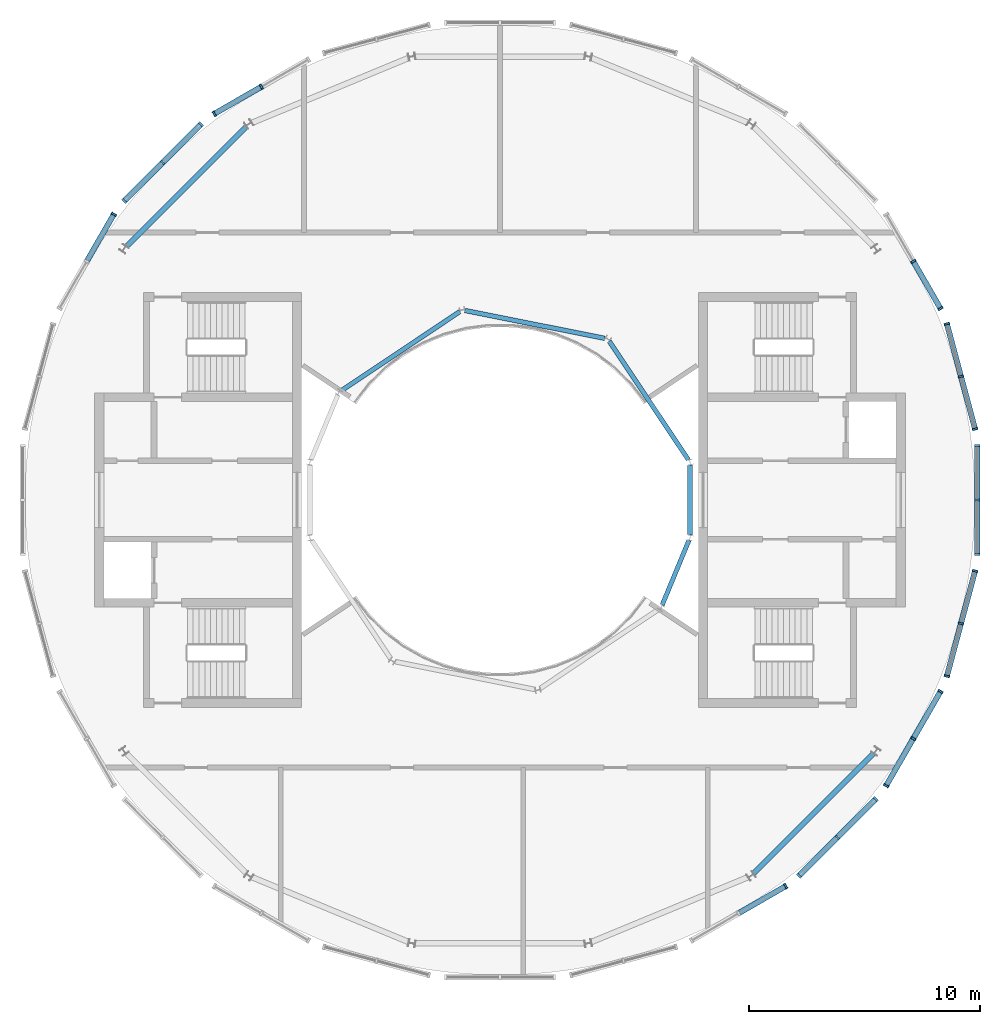
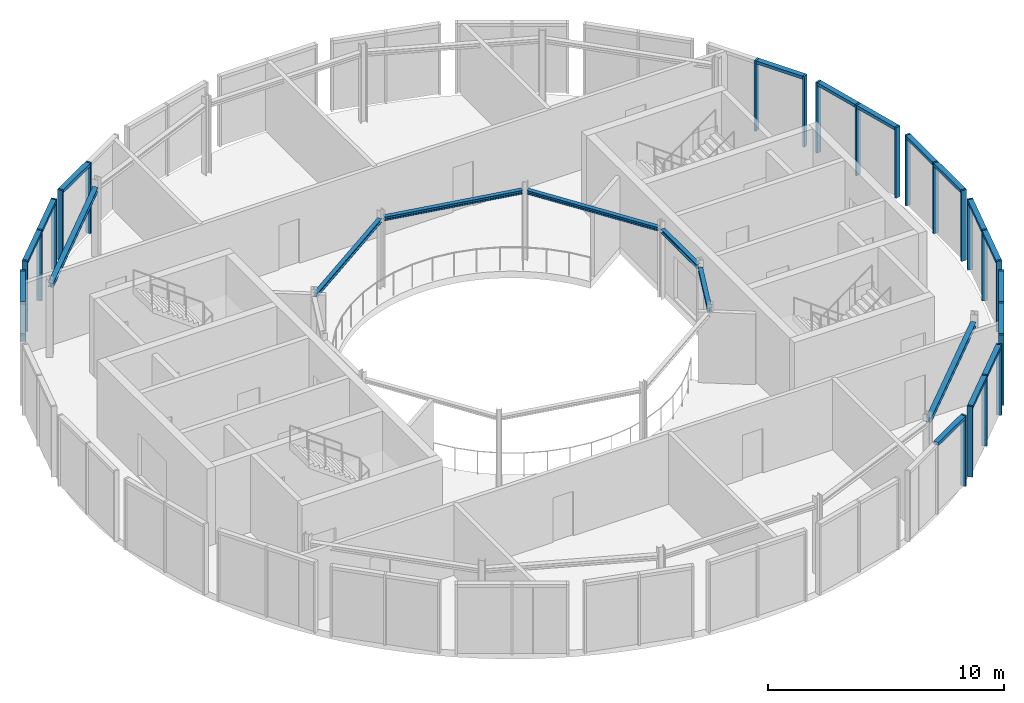
# One storey, part 5 of 12: 40 members, 7 beams, 10 elements without a shape of their own.
"""IFC4 building model written with IfcOpenShell, lengths in metres."""

from ifc_helpers import new_model, si_unit, direction, frame, origin, origin_2d, place, context, subcontext, project, spatial, rectangle, i_section, extrude, material, layer, layer_set, material_profile, profile_set, type_object, element, aggregate, save


model = new_model("IFC4")

# Units and contexts
model_context = context("Model", 3, precision=1e-05, world=origin(), true_north=direction((0.0, 1.0)))
body_context = subcontext(model_context, "Body", "Model", "MODEL_VIEW")
ifc_project = project(units=[si_unit("LENGTHUNIT", "METRE"), si_unit("AREAUNIT", "SQUARE_METRE"), si_unit("VOLUMEUNIT", "CUBIC_METRE"), si_unit("PLANEANGLEUNIT", "RADIAN"), si_unit("MASSUNIT", "GRAM", prefix="KILO")], contexts=[model_context])

# Site, building, storey
site_placement = place(None, origin())
site = spatial("IfcSite", under=ifc_project, at=site_placement, CompositionType="ELEMENT")
building_placement = place(site_placement, origin())
building = spatial("IfcBuilding", under=site, at=building_placement, Name="Maasbend Ring Residences", CompositionType="ELEMENT")
storey_placement = place(building_placement, frame((0.0, 0.0, 261.5)))
storey = spatial("IfcBuildingStorey", under=building, at=storey_placement, Name="L75", CompositionType="ELEMENT", Elevation=261.5)

# Curtain wall, members
ifc_material_1 = material(Name="Aluminium and clear glass", Category="aluminium")
ifc_layer = layer(ifc_material_1, 0.239990234375)
ifc_layer_set = layer_set([ifc_layer], Name="CW-CN")
curtain_wall_type = type_object("IfcCurtainWallType", Name="CW-CN", PredefinedType="NOTDEFINED", material=ifc_layer_set)
curtain_wall_1_placement = place(storey_placement, origin())
curtain_wall_1 = element("IfcCurtainWall", 1, at=curtain_wall_1_placement, inside=storey, type_object=curtain_wall_type, Name="Crown drum glazing 01 L75", PredefinedType="NOTDEFINED")
ifc_material_2 = material(Name="Aluminium 6063-T6", Category="aluminium")
ifc_material_profile_1 = material_profile(ifc_material_2, rectangle(XDim=0.239990234375, YDim=0.090087890625, at=origin_2d()), Name="AL 240x90")
ifc_profile_set_1 = profile_set([ifc_material_profile_1], Name="Aluminium 6063-T6")
member_type_1 = type_object("IfcMemberType", Name="CWM-CN", PredefinedType="MULLION", material=ifc_profile_set_1)
member_1_placement = place(storey_placement, frame((20.596923828125, 3.07666015625, 0.0), z_axis=(0.0, 0.0, 1.0), x_axis=(-0.965925826289, -0.258819045103, 0.0)))
member_1 = element("IfcMember", 2, at=member_1_placement, type_object=member_type_1, Name="Mullion crown cone", PredefinedType="MULLION", context=body_context, shape_type="SweptSolid", body=[
    extrude(rectangle(XDim=0.239990234375, YDim=0.090087890625, at=origin_2d()), origin(), (0.0, 0.0, 1.0), 3.64990234375),
])
member_2_placement = place(storey_placement, frame((19.986328125, 5.355224609375, 0.0), z_axis=(0.0, 0.0, 1.0), x_axis=(-0.965925826289, -0.258819045103, 0.0)))
member_2 = element("IfcMember", 3, at=member_2_placement, type_object=member_type_1, Name="Mullion crown cone", PredefinedType="MULLION", context=body_context, shape_type="SweptSolid", body=[
    extrude(rectangle(XDim=0.239990234375, YDim=0.090087890625, at=origin_2d()), origin(), (0.0, 0.0, 1.0), 3.64990234375),
])
member_3_placement = place(storey_placement, frame((19.375732421875, 7.634033203125, 0.0), z_axis=(0.0, 0.0, 1.0), x_axis=(-0.965925826289, -0.258819045103, 0.0)))
member_3 = element("IfcMember", 4, at=member_3_placement, type_object=member_type_1, Name="Mullion crown cone", PredefinedType="MULLION", context=body_context, shape_type="SweptSolid", body=[
    extrude(rectangle(XDim=0.239990234375, YDim=0.090087890625, at=origin_2d()), origin(), (0.0, 0.0, 1.0), 3.64990234375),
])

curtain_wall_2_placement = place(storey_placement, origin())
curtain_wall_2 = element("IfcCurtainWall", 5, at=curtain_wall_2_placement, inside=storey, type_object=curtain_wall_type, Name="Crown drum glazing 02 L75", PredefinedType="NOTDEFINED")
member_4_placement = place(storey_placement, frame((19.098876953125, 8.302734375, 0.0), z_axis=(0.0, 0.0, 1.0), x_axis=(-0.866025403784, -0.5, 0.0)))
member_4 = element("IfcMember", 6, at=member_4_placement, type_object=member_type_1, Name="Mullion crown cone", PredefinedType="MULLION", context=body_context, shape_type="SweptSolid", body=[
    extrude(rectangle(XDim=0.239990234375, YDim=0.090087890625, at=origin_2d()), origin(), (0.0, 0.0, 1.0), 3.64990234375),
])
member_5_placement = place(storey_placement, frame((17.91943359375, 10.345703125, 0.0), z_axis=(0.0, 0.0, 1.0), x_axis=(-0.866025403784, -0.5, 0.0)))
member_5 = element("IfcMember", 7, at=member_5_placement, type_object=member_type_1, Name="Mullion crown cone", PredefinedType="MULLION", context=body_context, shape_type="SweptSolid", body=[
    extrude(rectangle(XDim=0.239990234375, YDim=0.090087890625, at=origin_2d()), origin(), (0.0, 0.0, 1.0), 3.64990234375),
])

curtain_wall_3_placement = place(storey_placement, origin())
curtain_wall_3 = element("IfcCurtainWall", 8, at=curtain_wall_3_placement, inside=storey, type_object=curtain_wall_type, Name="Crown drum glazing 08 L75", PredefinedType="NOTDEFINED")
member_6_placement = place(storey_placement, frame((-10.345703125, 17.91943359375, 0.0), z_axis=(0.0, 0.0, 1.0), x_axis=(0.5, -0.866025403784, 0.0)))
member_6 = element("IfcMember", 9, at=member_6_placement, type_object=member_type_1, Name="Mullion crown cone", PredefinedType="MULLION", context=body_context, shape_type="SweptSolid", body=[
    extrude(rectangle(XDim=0.239990234375, YDim=0.090087890625, at=origin_2d()), origin(), (0.0, 0.0, 1.0), 3.64990234375),
])
member_7_placement = place(storey_placement, frame((-12.388671875, 16.73974609375, 0.0), z_axis=(0.0, 0.0, 1.0), x_axis=(0.5, -0.866025403784, 0.0)))
member_7 = element("IfcMember", 10, at=member_7_placement, type_object=member_type_1, Name="Mullion crown cone", PredefinedType="MULLION", context=body_context, shape_type="SweptSolid", body=[
    extrude(rectangle(XDim=0.239990234375, YDim=0.090087890625, at=origin_2d()), origin(), (0.0, 0.0, 1.0), 3.64990234375),
])

curtain_wall_4_placement = place(storey_placement, origin())
curtain_wall_4 = element("IfcCurtainWall", 11, at=curtain_wall_4_placement, inside=storey, type_object=curtain_wall_type, Name="Crown drum glazing 09 L75", PredefinedType="NOTDEFINED")
member_8_placement = place(storey_placement, frame((-12.962890625, 16.299072265625, 0.0), z_axis=(0.0, 0.0, 1.0), x_axis=(0.707106781187, -0.707106781187, 0.0)))
member_8 = element("IfcMember", 12, at=member_8_placement, type_object=member_type_1, Name="Mullion crown cone", PredefinedType="MULLION", context=body_context, shape_type="SweptSolid", body=[
    extrude(rectangle(XDim=0.239990234375, YDim=0.090087890625, at=origin_2d()), origin(), (0.0, 0.0, 1.0), 3.64990234375),
])
member_9_placement = place(storey_placement, frame((-14.631103515625, 14.631103515625, 0.0), z_axis=(0.0, 0.0, 1.0), x_axis=(0.707106781187, -0.707106781187, 0.0)))
member_9 = element("IfcMember", 13, at=member_9_placement, type_object=member_type_1, Name="Mullion crown cone", PredefinedType="MULLION", context=body_context, shape_type="SweptSolid", body=[
    extrude(rectangle(XDim=0.239990234375, YDim=0.090087890625, at=origin_2d()), origin(), (0.0, 0.0, 1.0), 3.64990234375),
])
member_10_placement = place(storey_placement, frame((-16.299072265625, 12.962890625, 0.0), z_axis=(0.0, 0.0, 1.0), x_axis=(0.707106781187, -0.707106781187, 0.0)))
member_10 = element("IfcMember", 14, at=member_10_placement, type_object=member_type_1, Name="Mullion crown cone", PredefinedType="MULLION", context=body_context, shape_type="SweptSolid", body=[
    extrude(rectangle(XDim=0.239990234375, YDim=0.090087890625, at=origin_2d()), origin(), (0.0, 0.0, 1.0), 3.64990234375),
])

# Curtain wall, member
curtain_wall_5_placement = place(storey_placement, origin())
curtain_wall_5 = element("IfcCurtainWall", 15, at=curtain_wall_5_placement, inside=storey, type_object=curtain_wall_type, Name="Crown drum glazing 10 L75", PredefinedType="NOTDEFINED")
member_11_placement = place(storey_placement, frame((-16.73974609375, 12.388671875, 0.0), z_axis=(0.0, 0.0, 1.0), x_axis=(0.866025403784, -0.5, 0.0)))
member_11 = element("IfcMember", 16, at=member_11_placement, type_object=member_type_1, Name="Mullion crown cone", PredefinedType="MULLION", context=body_context, shape_type="SweptSolid", body=[
    extrude(rectangle(XDim=0.239990234375, YDim=0.090087890625, at=origin_2d()), origin(), (0.0, 0.0, 1.0), 3.64990234375),
])

curtain_wall_6_placement = place(storey_placement, origin())
curtain_wall_6 = element("IfcCurtainWall", 17, at=curtain_wall_6_placement, inside=storey, type_object=curtain_wall_type, Name="Crown drum glazing 20 L75", PredefinedType="NOTDEFINED")
member_12_placement = place(storey_placement, frame((12.388671875, -16.73974609375, 0.0), z_axis=(0.0, 0.0, 1.0), x_axis=(-0.5, 0.866025403784, 0.0)))
member_12 = element("IfcMember", 18, at=member_12_placement, type_object=member_type_1, Name="Mullion crown cone", PredefinedType="MULLION", context=body_context, shape_type="SweptSolid", body=[
    extrude(rectangle(XDim=0.239990234375, YDim=0.090087890625, at=origin_2d()), origin(), (0.0, 0.0, 1.0), 3.64990234375),
])

# Curtain wall, members
curtain_wall_7_placement = place(storey_placement, origin())
curtain_wall_7 = element("IfcCurtainWall", 19, at=curtain_wall_7_placement, inside=storey, type_object=curtain_wall_type, Name="Crown drum glazing 21 L75", PredefinedType="NOTDEFINED")
member_13_placement = place(storey_placement, frame((12.962890625, -16.299072265625, 0.0), z_axis=(0.0, 0.0, 1.0), x_axis=(-0.707106781187, 0.707106781187, 0.0)))
member_13 = element("IfcMember", 20, at=member_13_placement, type_object=member_type_1, Name="Mullion crown cone", PredefinedType="MULLION", context=body_context, shape_type="SweptSolid", body=[
    extrude(rectangle(XDim=0.239990234375, YDim=0.090087890625, at=origin_2d()), origin(), (0.0, 0.0, 1.0), 3.64990234375),
])
member_14_placement = place(storey_placement, frame((14.631103515625, -14.631103515625, 0.0), z_axis=(0.0, 0.0, 1.0), x_axis=(-0.707106781187, 0.707106781187, 0.0)))
member_14 = element("IfcMember", 21, at=member_14_placement, type_object=member_type_1, Name="Mullion crown cone", PredefinedType="MULLION", context=body_context, shape_type="SweptSolid", body=[
    extrude(rectangle(XDim=0.239990234375, YDim=0.090087890625, at=origin_2d()), origin(), (0.0, 0.0, 1.0), 3.64990234375),
])
member_15_placement = place(storey_placement, frame((16.299072265625, -12.962890625, 0.0), z_axis=(0.0, 0.0, 1.0), x_axis=(-0.707106781187, 0.707106781187, 0.0)))
member_15 = element("IfcMember", 22, at=member_15_placement, type_object=member_type_1, Name="Mullion crown cone", PredefinedType="MULLION", context=body_context, shape_type="SweptSolid", body=[
    extrude(rectangle(XDim=0.239990234375, YDim=0.090087890625, at=origin_2d()), origin(), (0.0, 0.0, 1.0), 3.64990234375),
])

curtain_wall_8_placement = place(storey_placement, origin())
curtain_wall_8 = element("IfcCurtainWall", 23, at=curtain_wall_8_placement, inside=storey, type_object=curtain_wall_type, Name="Crown drum glazing 22 L75", PredefinedType="NOTDEFINED")
member_16_placement = place(storey_placement, frame((16.73974609375, -12.388671875, 0.0), z_axis=(0.0, 0.0, 1.0), x_axis=(-0.866025403784, 0.5, 0.0)))
member_16 = element("IfcMember", 24, at=member_16_placement, type_object=member_type_1, Name="Mullion crown cone", PredefinedType="MULLION", context=body_context, shape_type="SweptSolid", body=[
    extrude(rectangle(XDim=0.239990234375, YDim=0.090087890625, at=origin_2d()), origin(), (0.0, 0.0, 1.0), 3.64990234375),
])
member_17_placement = place(storey_placement, frame((17.91943359375, -10.345703125, 0.0), z_axis=(0.0, 0.0, 1.0), x_axis=(-0.866025403784, 0.5, 0.0)))
member_17 = element("IfcMember", 25, at=member_17_placement, type_object=member_type_1, Name="Mullion crown cone", PredefinedType="MULLION", context=body_context, shape_type="SweptSolid", body=[
    extrude(rectangle(XDim=0.239990234375, YDim=0.090087890625, at=origin_2d()), origin(), (0.0, 0.0, 1.0), 3.64990234375),
])
member_18_placement = place(storey_placement, frame((19.098876953125, -8.302734375, 0.0), z_axis=(0.0, 0.0, 1.0), x_axis=(-0.866025403784, 0.5, 0.0)))
member_18 = element("IfcMember", 26, at=member_18_placement, type_object=member_type_1, Name="Mullion crown cone", PredefinedType="MULLION", context=body_context, shape_type="SweptSolid", body=[
    extrude(rectangle(XDim=0.239990234375, YDim=0.090087890625, at=origin_2d()), origin(), (0.0, 0.0, 1.0), 3.64990234375),
])

curtain_wall_9_placement = place(storey_placement, origin())
curtain_wall_9 = element("IfcCurtainWall", 27, at=curtain_wall_9_placement, inside=storey, type_object=curtain_wall_type, Name="Crown drum glazing 23 L75", PredefinedType="NOTDEFINED")
member_19_placement = place(storey_placement, frame((19.375732421875, -7.634033203125, 0.0), z_axis=(0.0, 0.0, 1.0), x_axis=(-0.965925826289, 0.258819045103, 0.0)))
member_19 = element("IfcMember", 28, at=member_19_placement, type_object=member_type_1, Name="Mullion crown cone", PredefinedType="MULLION", context=body_context, shape_type="SweptSolid", body=[
    extrude(rectangle(XDim=0.239990234375, YDim=0.090087890625, at=origin_2d()), origin(), (0.0, 0.0, 1.0), 3.64990234375),
])
member_20_placement = place(storey_placement, frame((19.986328125, -5.355224609375, 0.0), z_axis=(0.0, 0.0, 1.0), x_axis=(-0.965925826289, 0.258819045103, 0.0)))
member_20 = element("IfcMember", 29, at=member_20_placement, type_object=member_type_1, Name="Mullion crown cone", PredefinedType="MULLION", context=body_context, shape_type="SweptSolid", body=[
    extrude(rectangle(XDim=0.239990234375, YDim=0.090087890625, at=origin_2d()), origin(), (0.0, 0.0, 1.0), 3.64990234375),
])
member_21_placement = place(storey_placement, frame((20.596923828125, -3.07666015625, 0.0), z_axis=(0.0, 0.0, 1.0), x_axis=(-0.965925826289, 0.258819045103, 0.0)))
member_21 = element("IfcMember", 30, at=member_21_placement, type_object=member_type_1, Name="Mullion crown cone", PredefinedType="MULLION", context=body_context, shape_type="SweptSolid", body=[
    extrude(rectangle(XDim=0.239990234375, YDim=0.090087890625, at=origin_2d()), origin(), (0.0, 0.0, 1.0), 3.64990234375),
])

curtain_wall_10_placement = place(storey_placement, origin())
curtain_wall_10 = element("IfcCurtainWall", 31, at=curtain_wall_10_placement, inside=storey, type_object=curtain_wall_type, Name="Crown drum glazing 24 L75", PredefinedType="NOTDEFINED")
member_22_placement = place(storey_placement, frame((20.69140625, -2.359130859375, 0.0), z_axis=(0.0, 0.0, 1.0), x_axis=(-1.0, 0.0, 0.0)))
member_22 = element("IfcMember", 32, at=member_22_placement, type_object=member_type_1, Name="Mullion crown cone", PredefinedType="MULLION", context=body_context, shape_type="SweptSolid", body=[
    extrude(rectangle(XDim=0.239990234375, YDim=0.090087890625, at=origin_2d()), origin(), (0.0, 0.0, 1.0), 3.64990234375),
])
member_23_placement = place(storey_placement, frame((20.69140625, 0.0, 0.0), z_axis=(0.0, 0.0, 1.0), x_axis=(-1.0, 0.0, 0.0)))
member_23 = element("IfcMember", 33, at=member_23_placement, type_object=member_type_1, Name="Mullion crown cone", PredefinedType="MULLION", context=body_context, shape_type="SweptSolid", body=[
    extrude(rectangle(XDim=0.239990234375, YDim=0.090087890625, at=origin_2d()), origin(), (0.0, 0.0, 1.0), 3.64990234375),
])
member_24_placement = place(storey_placement, frame((20.69140625, 2.359130859375, 0.0), z_axis=(0.0, 0.0, 1.0), x_axis=(-1.0, 0.0, 0.0)))
member_24 = element("IfcMember", 34, at=member_24_placement, type_object=member_type_1, Name="Mullion crown cone", PredefinedType="MULLION", context=body_context, shape_type="SweptSolid", body=[
    extrude(rectangle(XDim=0.239990234375, YDim=0.090087890625, at=origin_2d()), origin(), (0.0, 0.0, 1.0), 3.64990234375),
])

# Member
ifc_material_3 = material(Name="Aluminium 6063-T6", Category="aluminium")
ifc_material_profile_2 = material_profile(ifc_material_3, rectangle(XDim=0.239990234375, YDim=0.159912109375, at=origin_2d()), Name="AL 240x160")
ifc_profile_set_2 = profile_set([ifc_material_profile_2], Name="Aluminium 6063-T6")
member_type_2 = type_object("IfcMemberType", Name="CWT-CN", PredefinedType="USERDEFINED", material=ifc_profile_set_2)
member_25_placement = place(storey_placement, frame((20.58544921875, 3.1201171875, 3.570068359375), z_axis=(-0.258881296667, 0.965909143883, 0.0), x_axis=(-0.965909143883, -0.258881296667, 0.0)))
member_25 = element("IfcMember", 35, at=member_25_placement, type_object=member_type_2, Name="Transom crown cone", ObjectType="TRANSOM", PredefinedType="USERDEFINED", context=body_context, shape_type="SweptSolid", body=[
    extrude(rectangle(XDim=0.239990234375, YDim=0.159912109375, at=origin_2d()), origin(), (0.0, 0.0, 1.0), 2.26904296875),
])

member_26_placement = place(storey_placement, frame((19.974853515625, 5.39892578125, 3.570068359375), z_axis=(-0.258881296667, 0.965909143883, 0.0), x_axis=(-0.965909143883, -0.258881296667, 0.0)))
member_26 = element("IfcMember", 36, at=member_26_placement, type_object=member_type_2, Name="Transom crown cone", ObjectType="TRANSOM", PredefinedType="USERDEFINED", context=body_context, shape_type="SweptSolid", body=[
    extrude(rectangle(XDim=0.239990234375, YDim=0.159912109375, at=origin_2d()), origin(), (0.0, 0.0, 1.0), 2.26904296875),
])

aggregate(curtain_wall_1, [member_1, member_2, member_3, member_25, member_26])

member_27_placement = place(storey_placement, frame((19.076416015625, 8.341552734375, 3.570068359375), z_axis=(-0.49999255039, 0.866029704776, 0.0), x_axis=(-0.866029704776, -0.49999255039, 0.0)))
member_27 = element("IfcMember", 37, at=member_27_placement, type_object=member_type_2, Name="Transom crown cone", ObjectType="TRANSOM", PredefinedType="USERDEFINED", context=body_context, shape_type="SweptSolid", body=[
    extrude(rectangle(XDim=0.239990234375, YDim=0.159912109375, at=origin_2d()), origin(), (0.0, 0.0, 1.0), 2.26904296875),
])

aggregate(curtain_wall_2, [member_4, member_5, member_27])

member_28_placement = place(storey_placement, frame((-10.384765625, 17.896728515625, 3.570068359375), z_axis=(-0.866029704776, -0.49999255039, 0.0), x_axis=(0.49999255039, -0.866029704776, 0.0)))
member_28 = element("IfcMember", 38, at=member_28_placement, type_object=member_type_2, Name="Transom crown cone", ObjectType="TRANSOM", PredefinedType="USERDEFINED", context=body_context, shape_type="SweptSolid", body=[
    extrude(rectangle(XDim=0.239990234375, YDim=0.159912109375, at=origin_2d()), origin(), (0.0, 0.0, 1.0), 2.26904296875),
])

aggregate(curtain_wall_3, [member_6, member_7, member_28])

member_29_placement = place(storey_placement, frame((-12.994873046875, 16.267333984375, 3.570068359375), z_axis=(-0.707106781187, -0.707106781187, 0.0), x_axis=(0.707106781187, -0.707106781187, 0.0)))
member_29 = element("IfcMember", 39, at=member_29_placement, type_object=member_type_2, Name="Transom crown cone", ObjectType="TRANSOM", PredefinedType="USERDEFINED", context=body_context, shape_type="SweptSolid", body=[
    extrude(rectangle(XDim=0.239990234375, YDim=0.159912109375, at=origin_2d()), origin(), (0.0, 0.0, 1.0), 2.26904296875),
])

member_30_placement = place(storey_placement, frame((-14.662841796875, 14.599365234375, 3.570068359375), z_axis=(-0.707106781187, -0.707106781187, 0.0), x_axis=(0.707106781187, -0.707106781187, 0.0)))
member_30 = element("IfcMember", 40, at=member_30_placement, type_object=member_type_2, Name="Transom crown cone", ObjectType="TRANSOM", PredefinedType="USERDEFINED", context=body_context, shape_type="SweptSolid", body=[
    extrude(rectangle(XDim=0.239990234375, YDim=0.159912109375, at=origin_2d()), origin(), (0.0, 0.0, 1.0), 2.26904296875),
])

aggregate(curtain_wall_4, [member_8, member_9, member_10, member_29, member_30])

member_31_placement = place(storey_placement, frame((-16.76220703125, 12.349853515625, 3.570068359375), z_axis=(-0.49999255039, -0.866029704776, 0.0), x_axis=(0.866029704776, -0.49999255039, 0.0)))
member_31 = element("IfcMember", 41, at=member_31_placement, type_object=member_type_2, Name="Transom crown cone", ObjectType="TRANSOM", PredefinedType="USERDEFINED", context=body_context, shape_type="SweptSolid", body=[
    extrude(rectangle(XDim=0.239990234375, YDim=0.159912109375, at=origin_2d()), origin(), (0.0, 0.0, 1.0), 2.26904296875),
])

aggregate(curtain_wall_5, [member_11, member_31])

member_32_placement = place(storey_placement, frame((10.384765625, -17.896728515625, 3.570068359375), z_axis=(0.866029704776, 0.49999255039, 0.0), x_axis=(-0.49999255039, 0.866029704776, 0.0)))
member_32 = element("IfcMember", 42, at=member_32_placement, type_object=member_type_2, Name="Transom crown cone", ObjectType="TRANSOM", PredefinedType="USERDEFINED", context=body_context, shape_type="SweptSolid", body=[
    extrude(rectangle(XDim=0.239990234375, YDim=0.159912109375, at=origin_2d()), origin(), (0.0, 0.0, 1.0), 2.26904296875),
])

aggregate(curtain_wall_6, [member_12, member_32])

member_33_placement = place(storey_placement, frame((12.994873046875, -16.267333984375, 3.570068359375), z_axis=(0.707106781187, 0.707106781187, 0.0), x_axis=(-0.707106781187, 0.707106781187, 0.0)))
member_33 = element("IfcMember", 43, at=member_33_placement, type_object=member_type_2, Name="Transom crown cone", ObjectType="TRANSOM", PredefinedType="USERDEFINED", context=body_context, shape_type="SweptSolid", body=[
    extrude(rectangle(XDim=0.239990234375, YDim=0.159912109375, at=origin_2d()), origin(), (0.0, 0.0, 1.0), 2.26904296875),
])

member_34_placement = place(storey_placement, frame((14.662841796875, -14.599365234375, 3.570068359375), z_axis=(0.707106781187, 0.707106781187, 0.0), x_axis=(-0.707106781187, 0.707106781187, 0.0)))
member_34 = element("IfcMember", 44, at=member_34_placement, type_object=member_type_2, Name="Transom crown cone", ObjectType="TRANSOM", PredefinedType="USERDEFINED", context=body_context, shape_type="SweptSolid", body=[
    extrude(rectangle(XDim=0.239990234375, YDim=0.159912109375, at=origin_2d()), origin(), (0.0, 0.0, 1.0), 2.26904296875),
])

aggregate(curtain_wall_7, [member_13, member_14, member_15, member_33, member_34])

member_35_placement = place(storey_placement, frame((16.76220703125, -12.349853515625, 3.570068359375), z_axis=(0.49999255039, 0.866029704776, 0.0), x_axis=(-0.866029704776, 0.49999255039, 0.0)))
member_35 = element("IfcMember", 45, at=member_35_placement, type_object=member_type_2, Name="Transom crown cone", ObjectType="TRANSOM", PredefinedType="USERDEFINED", context=body_context, shape_type="SweptSolid", body=[
    extrude(rectangle(XDim=0.239990234375, YDim=0.159912109375, at=origin_2d()), origin(), (0.0, 0.0, 1.0), 2.26904296875),
])

member_36_placement = place(storey_placement, frame((17.94189453125, -10.306640625, 3.570068359375), z_axis=(0.49999255039, 0.866029704776, 0.0), x_axis=(-0.866029704776, 0.49999255039, 0.0)))
member_36 = element("IfcMember", 46, at=member_36_placement, type_object=member_type_2, Name="Transom crown cone", ObjectType="TRANSOM", PredefinedType="USERDEFINED", context=body_context, shape_type="SweptSolid", body=[
    extrude(rectangle(XDim=0.239990234375, YDim=0.159912109375, at=origin_2d()), origin(), (0.0, 0.0, 1.0), 2.26904296875),
])

aggregate(curtain_wall_8, [member_16, member_17, member_18, member_35, member_36])

member_37_placement = place(storey_placement, frame((19.387451171875, -7.590576171875, 3.570068359375), z_axis=(0.258881296667, 0.965909143883, 0.0), x_axis=(-0.965909143883, 0.258881296667, 0.0)))
member_37 = element("IfcMember", 47, at=member_37_placement, type_object=member_type_2, Name="Transom crown cone", ObjectType="TRANSOM", PredefinedType="USERDEFINED", context=body_context, shape_type="SweptSolid", body=[
    extrude(rectangle(XDim=0.239990234375, YDim=0.159912109375, at=origin_2d()), origin(), (0.0, 0.0, 1.0), 2.26904296875),
])

member_38_placement = place(storey_placement, frame((19.998046875, -5.311767578125, 3.570068359375), z_axis=(0.258881296667, 0.965909143883, 0.0), x_axis=(-0.965909143883, 0.258881296667, 0.0)))
member_38 = element("IfcMember", 48, at=member_38_placement, type_object=member_type_2, Name="Transom crown cone", ObjectType="TRANSOM", PredefinedType="USERDEFINED", context=body_context, shape_type="SweptSolid", body=[
    extrude(rectangle(XDim=0.239990234375, YDim=0.159912109375, at=origin_2d()), origin(), (0.0, 0.0, 1.0), 2.26904296875),
])

aggregate(curtain_wall_9, [member_19, member_20, member_21, member_37, member_38])

member_39_placement = place(storey_placement, frame((20.69140625, -2.31396484375, 3.570068359375), z_axis=(0.0, 1.0, 0.0), x_axis=(-1.0, 0.0, 0.0)))
member_39 = element("IfcMember", 49, at=member_39_placement, type_object=member_type_2, Name="Transom crown cone", ObjectType="TRANSOM", PredefinedType="USERDEFINED", context=body_context, shape_type="SweptSolid", body=[
    extrude(rectangle(XDim=0.239990234375, YDim=0.159912109375, at=origin_2d()), origin(), (0.0, 0.0, 1.0), 2.26904296875),
])

member_40_placement = place(storey_placement, frame((20.69140625, 0.044921875, 3.570068359375), z_axis=(0.0, 1.0, 0.0), x_axis=(-1.0, 0.0, 0.0)))
member_40 = element("IfcMember", 50, at=member_40_placement, type_object=member_type_2, Name="Transom crown cone", ObjectType="TRANSOM", PredefinedType="USERDEFINED", context=body_context, shape_type="SweptSolid", body=[
    extrude(rectangle(XDim=0.239990234375, YDim=0.159912109375, at=origin_2d()), origin(), (0.0, 0.0, 1.0), 2.26904296875),
])

aggregate(curtain_wall_10, [member_22, member_23, member_24, member_39, member_40])

# Beams
ifc_material_4 = material(Name="Steel S355J2", Category="steel")
ifc_material_profile_3 = material_profile(ifc_material_4, i_section(OverallWidth=0.239990234375, OverallDepth=0.22998046875, WebThickness=0.007568359375, FlangeThickness=0.011962890625, FilletRadius=0.02099609375, at=origin_2d()), Name="HEA 240")
ifc_profile_set_3 = profile_set([ifc_material_profile_3], Name="Steel S355J2")
beam_type_1 = type_object("IfcBeamType", Name="Corridor ring beam HEA 240", PredefinedType="BEAM", material=ifc_profile_set_3)
for number, where, z_axis, x_axis, name in (
    (51, (-10.997314453125, 16.188720703125, 3.534912109375), (-0.707106781187, -0.707106781187, 0.0), (0.707106781187, -0.707106781187, 0.0), "Corridor ring beam"),
    (52, (10.997314453125, -16.188720703125, 3.534912109375), (0.707106781187, 0.707106781187, 0.0), (-0.707106781187, 0.707106781187, 0.0), "Corridor ring beam"),
):
    element("IfcBeam", number, at=place(storey_placement, frame(where, z_axis=z_axis, x_axis=x_axis)), inside=storey, type_object=beam_type_1, Name=name, PredefinedType="BEAM", context=body_context, shape_type="SweptSolid", body=[
        extrude(i_section(OverallWidth=0.239990234375, OverallDepth=0.22998046875, WebThickness=0.007568359375, FlangeThickness=0.011962890625, FilletRadius=0.02099609375, at=origin_2d()), origin(), (0.0, 0.0, 1.0), 7.341796875),
    ])
ifc_material_5 = material(Name="Steel S355J2", Category="steel")
ifc_material_profile_4 = material_profile(ifc_material_5, i_section(OverallWidth=0.199951171875, OverallDepth=0.18994140625, WebThickness=0.006591796875, FlangeThickness=0.010009765625, FilletRadius=0.01806640625, at=origin_2d()), Name="HEA 200")
ifc_profile_set_4 = profile_set([ifc_material_profile_4], Name="Steel S355J2")
beam_type_2 = type_object("IfcBeamType", Name="Well edge beam HEA 200", PredefinedType="BEAM", material=ifc_profile_set_4)
for number, where, z_axis, x_axis, name in (
    (53, (8.16943359375, 1.7421875, 3.554931640625), (-0.555547729421, 0.831484648286, 0.0), (-0.831484648286, -0.555547729421, 0.0), "Well edge beam"),
    (54, (4.544677734375, 7.008544921875, 3.554931640625), (-0.98078072474, 0.195113223486, 0.0), (-0.195113223486, -0.98078072474, 0.0), "Well edge beam"),
    (55, (-1.7421875, 8.16943359375, 3.554931640625), (-0.831484648286, -0.555547729421, 0.0), (0.555547729421, -0.831484648286, 0.0), "Well edge beam"),
):
    element("IfcBeam", number, at=place(storey_placement, frame(where, z_axis=z_axis, x_axis=x_axis)), inside=storey, type_object=beam_type_2, Name=name, PredefinedType="BEAM", context=body_context, shape_type="SweptSolid", body=[
        extrude(i_section(OverallWidth=0.199951171875, OverallDepth=0.18994140625, WebThickness=0.006591796875, FlangeThickness=0.010009765625, FilletRadius=0.01806640625, at=origin_2d()), origin(), (0.0, 0.0, 1.0), 6.18017578125),
    ])
for number, where, z_axis, x_axis, name in (
    (56, (7.029296875, -4.55859375, 3.554931640625), (0.382609241817, 0.923910259753, 0.0), (-0.923910259753, 0.382609241817, 0.0), "Well edge beam"),
    (57, (8.238525390625, -1.521484375, 3.554931640625), (0.0, 1.0, 0.0), (-1.0, 0.0, 0.0), "Well edge beam"),
):
    element("IfcBeam", number, at=place(storey_placement, frame(where, z_axis=z_axis, x_axis=x_axis)), inside=storey, type_object=beam_type_2, Name=name, PredefinedType="BEAM", context=body_context, shape_type="SweptSolid", body=[
        extrude(i_section(OverallWidth=0.199951171875, OverallDepth=0.18994140625, WebThickness=0.006591796875, FlangeThickness=0.010009765625, FilletRadius=0.01806640625, at=origin_2d()), origin(), (0.0, 0.0, 1.0), 3.04296875),
    ])

save(model, "model.ifc")
